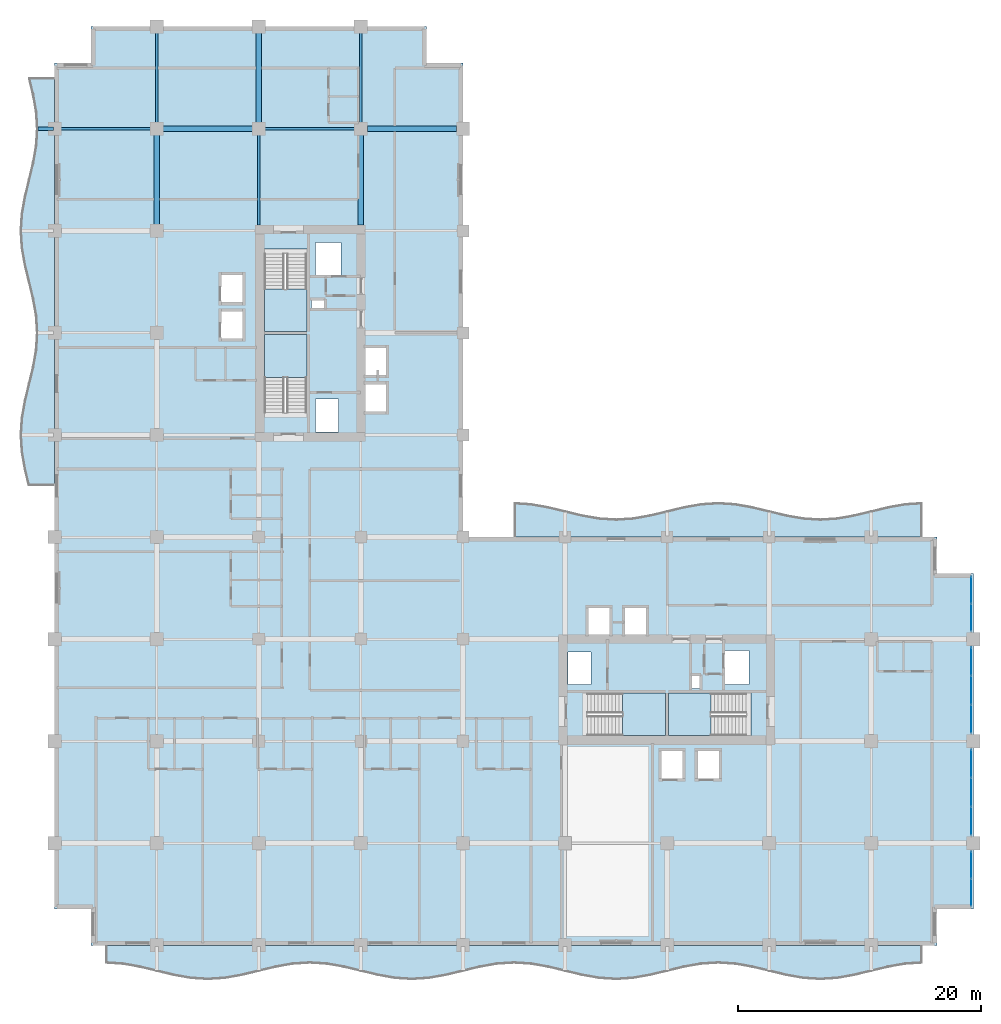
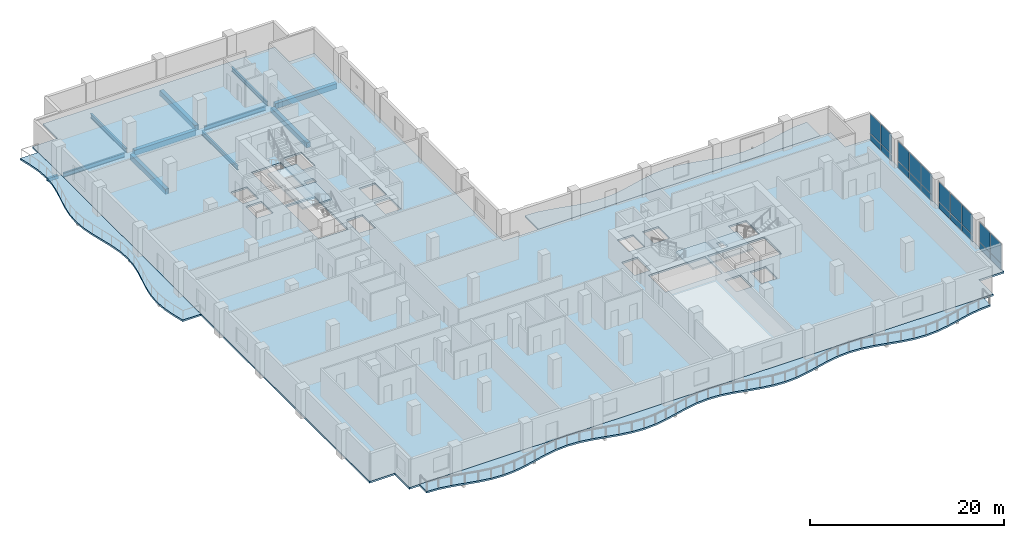
# One storey, part 8 of 22: 20 plates, 11 beams, 8 slabs, 8 elements without a shape of their own.
"""IFC4 building model written with IfcOpenShell, lengths in metres."""

from ifc_helpers import new_model, si_unit, direction, frame, origin, origin_2d, place, context, subcontext, project, spatial, polyline, rectangle, i_section, outline, extrude, material, layer, layer_set, material_profile, profile_set, type_object, element, aggregate, save


model = new_model("IFC4")

# Units and contexts
model_context = context("Model", 3, precision=1e-05, world=origin(), true_north=direction((0.0, 1.0)))
body_context = subcontext(model_context, "Body", "Model", "MODEL_VIEW")
ifc_project = project(units=[si_unit("LENGTHUNIT", "METRE"), si_unit("AREAUNIT", "SQUARE_METRE"), si_unit("VOLUMEUNIT", "CUBIC_METRE"), si_unit("PLANEANGLEUNIT", "RADIAN"), si_unit("MASSUNIT", "GRAM", prefix="KILO")], contexts=[model_context])

# Site, building, storey
site_placement = place(None, origin())
site = spatial("IfcSite", under=ifc_project, at=site_placement, CompositionType="ELEMENT")
building_placement = place(site_placement, origin())
building = spatial("IfcBuilding", under=site, at=building_placement, Name="Koriwani Terraces Tower", CompositionType="ELEMENT")
storey_placement = place(building_placement, frame((0.0, 0.0, 168.0)))
storey = spatial("IfcBuildingStorey", under=building, at=storey_placement, Name="L40", CompositionType="ELEMENT", Elevation=168.0)

# Beams
ifc_material_1 = material(Name="Concrete C40/50", Category="concrete")
ifc_material_profile_1 = material_profile(ifc_material_1, rectangle(XDim=0.300048828125, YDim=0.39990234375, at=origin_2d()), Name="Concrete C40/50", Category="LoadBearing")
ifc_profile_set_1 = profile_set([ifc_material_profile_1], Name="Concrete C40/50")
beam_type_1 = type_object("IfcBeamType", Name="BEAM_RC_BALCONY_RIB_300X400", PredefinedType="JOIST", material=ifc_profile_set_1)
beam_1_placement = place(storey_placement, frame((-1.35009765625, 67.199951171875, -0.429931640625), z_axis=(1.0, 0.0, 0.0), x_axis=(0.0, 1.0, 0.0)))
element("IfcBeam", 1, at=beam_1_placement, inside=storey, type_object=beam_type_1, Name="L40 Balcony Bracket Rib W-4", PredefinedType="JOIST", context=body_context, shape_type="SweptSolid", body=[
    extrude(rectangle(XDim=0.300048828125, YDim=0.39990234375, at=origin_2d()), origin(), (0.0, 0.0, 1.0), 1.25),
])
ifc_material_2 = material(Name="Concrete C50/60", Category="concrete")
ifc_material_profile_2 = material_profile(ifc_material_2, rectangle(XDim=0.449951171875, YDim=0.64990234375, at=origin_2d()), Name="Concrete C50/60", Category="LoadBearing")
ifc_profile_set_2 = profile_set([ifc_material_profile_2], Name="Concrete C50/60")
beam_type_2 = type_object("IfcBeamType", Name="BEAM_RC_GRID_450X650", PredefinedType="BEAM", material=ifc_profile_set_2)
for number, where, z_axis, x_axis, name in (
    (2, (8.929931640625, 67.199951171875, -0.554931640625), (1.0, 0.0, 0.0), (0.0, 1.0, 0.0), "L40 Grid Beam I (8.4-16.8m)"),
    (3, (25.72998046875, 67.199951171875, -0.554931640625), (1.0, 0.0, 0.0), (0.0, 1.0, 0.0), "L40 Grid Beam I (25.2-33.6m)"),
):
    element("IfcBeam", number, at=place(storey_placement, frame(where, z_axis=z_axis, x_axis=x_axis)), inside=storey, type_object=beam_type_2, Name=name, PredefinedType="BEAM", context=body_context, shape_type="SweptSolid", body=[
        extrude(rectangle(XDim=0.449951171875, YDim=0.64990234375, at=origin_2d()), origin(), (0.0, 0.0, 1.0), 7.340087890625),
    ])
beam_2_placement = place(storey_placement, frame((8.39990234375, 59.330078125, -0.554931640625), z_axis=(0.0, 1.0, 0.0), x_axis=(-1.0, 0.0, 0.0)))
element("IfcBeam", 4, at=beam_2_placement, inside=storey, type_object=beam_type_2, Name="L40 Grid Beam 2 (58.8-67.2m)", PredefinedType="BEAM", context=body_context, shape_type="SweptSolid", body=[
    extrude(rectangle(XDim=0.449951171875, YDim=0.64990234375, at=origin_2d()), origin(), (0.0, 0.0, 1.0), 7.33984375),
])
beam_3_placement = place(storey_placement, frame((16.800048828125, 67.72998046875, -0.554931640625), z_axis=(0.0, 1.0, 0.0), x_axis=(-1.0, 0.0, 0.0)))
element("IfcBeam", 5, at=beam_3_placement, inside=storey, type_object=beam_type_2, Name="L40 Grid Beam 3 (67.2-75.6m)", PredefinedType="BEAM", context=body_context, shape_type="SweptSolid", body=[
    extrude(rectangle(XDim=0.449951171875, YDim=0.64990234375, at=origin_2d()), origin(), (0.0, 0.0, 1.0), 7.340087890625),
])
beam_4_placement = place(storey_placement, frame((25.199951171875, 59.280029296875, -0.554931640625), z_axis=(0.0, 1.0, 0.0), x_axis=(-1.0, 0.0, 0.0)))
element("IfcBeam", 6, at=beam_4_placement, inside=storey, type_object=beam_type_2, Name="L40 Grid Beam 4 (58.8-67.2m)", PredefinedType="BEAM", context=body_context, shape_type="SweptSolid", body=[
    extrude(rectangle(XDim=0.449951171875, YDim=0.64990234375, at=origin_2d()), origin(), (0.0, 0.0, 1.0), 7.389892578125),
])
ifc_material_3 = material(Name="Steel ASTM A572 Grade 50", Category="steel")
ifc_material_profile_3 = material_profile(ifc_material_3, i_section(OverallWidth=0.2119140625, OverallDepth=0.54296875, WebThickness=0.0126953125, FlangeThickness=0.021240234375, at=origin_2d()), Name="Steel ASTM A572 Grade 50", Category="LoadBearing")
ifc_profile_set_3 = profile_set([ifc_material_profile_3], Name="Steel ASTM A572 Grade 50")
beam_type_3 = type_object("IfcBeamType", Name="STEEL_BEAM_W530X150", PredefinedType="BEAM", material=ifc_profile_set_3)
beam_5_placement = place(storey_placement, frame((0.530029296875, 67.199951171875, -0.50146484375), z_axis=(1.0, 0.0, 0.0), x_axis=(0.0, 1.0, 0.0)))
element("IfcBeam", 7, at=beam_5_placement, inside=storey, type_object=beam_type_3, Name="L40 Grid Beam I (0.0-8.4m)", PredefinedType="BEAM", context=body_context, shape_type="SweptSolid", body=[
    extrude(i_section(OverallWidth=0.2119140625, OverallDepth=0.54296875, WebThickness=0.0126953125, FlangeThickness=0.021240234375, at=origin_2d()), origin(), (0.0, 0.0, 1.0), 7.340087890625),
])
beam_6_placement = place(storey_placement, frame((17.330078125, 67.199951171875, -0.50146484375), z_axis=(1.0, 0.0, 0.0), x_axis=(0.0, 1.0, 0.0)))
element("IfcBeam", 8, at=beam_6_placement, inside=storey, type_object=beam_type_3, Name="L40 Grid Beam I (16.8-25.2m)", PredefinedType="BEAM", context=body_context, shape_type="SweptSolid", body=[
    extrude(i_section(OverallWidth=0.2119140625, OverallDepth=0.54296875, WebThickness=0.0126953125, FlangeThickness=0.021240234375, at=origin_2d()), origin(), (0.0, 0.0, 1.0), 7.33984375),
])
beam_7_placement = place(storey_placement, frame((8.39990234375, 67.72998046875, -0.50146484375), z_axis=(0.0, 1.0, 0.0), x_axis=(-1.0, 0.0, 0.0)))
element("IfcBeam", 9, at=beam_7_placement, inside=storey, type_object=beam_type_3, Name="L40 Grid Beam 2 (67.2-75.6m)", PredefinedType="BEAM", context=body_context, shape_type="SweptSolid", body=[
    extrude(i_section(OverallWidth=0.2119140625, OverallDepth=0.54296875, WebThickness=0.0126953125, FlangeThickness=0.021240234375, at=origin_2d()), origin(), (0.0, 0.0, 1.0), 7.340087890625),
])
beam_8_placement = place(storey_placement, frame((16.800048828125, 59.280029296875, -0.50146484375), z_axis=(0.0, 1.0, 0.0), x_axis=(-1.0, 0.0, 0.0)))
element("IfcBeam", 10, at=beam_8_placement, inside=storey, type_object=beam_type_3, Name="L40 Grid Beam 3 (58.8-67.2m)", PredefinedType="BEAM", context=body_context, shape_type="SweptSolid", body=[
    extrude(i_section(OverallWidth=0.2119140625, OverallDepth=0.54296875, WebThickness=0.0126953125, FlangeThickness=0.021240234375, at=origin_2d()), origin(), (0.0, 0.0, 1.0), 7.389892578125),
])
beam_9_placement = place(storey_placement, frame((25.199951171875, 67.72998046875, -0.50146484375), z_axis=(0.0, 1.0, 0.0), x_axis=(-1.0, 0.0, 0.0)))
element("IfcBeam", 11, at=beam_9_placement, inside=storey, type_object=beam_type_3, Name="L40 Grid Beam 4 (67.2-75.6m)", PredefinedType="BEAM", context=body_context, shape_type="SweptSolid", body=[
    extrude(i_section(OverallWidth=0.2119140625, OverallDepth=0.54296875, WebThickness=0.0126953125, FlangeThickness=0.021240234375, at=origin_2d()), origin(), (0.0, 0.0, 1.0), 7.340087890625),
])

# Curtain wall, plates
ifc_material_4 = material(Name="Anodised Bronze Aluminium", Category="aluminium")
ifc_layer_1 = layer(ifc_material_4, 0.169921875, Name="Anodised Bronze Aluminium")
ifc_layer_set_1 = layer_set([ifc_layer_1], Name="Anodised Bronze Aluminium")
curtain_wall_type = type_object("IfcCurtainWallType", Name="CW_RES_ZONE3", PredefinedType="NOTDEFINED", material=ifc_layer_set_1)
curtain_wall_1_placement = place(storey_placement, origin())
curtain_wall_1 = element("IfcCurtainWall", 12, at=curtain_wall_1_placement, inside=storey, type_object=curtain_wall_type, Name="L40 Unitised Curtain Wall (E_TIP) Bay 1", PredefinedType="NOTDEFINED")
ifc_material_5 = material(Name="Tempered Laminated Low-E Glass", Category="glass")
ifc_layer_2 = layer(ifc_material_5, 0.028076171875, Name="Tempered Laminated Low-E Glass")
ifc_layer_set_2 = layer_set([ifc_layer_2], Name="Tempered Laminated Low-E Glass")
plate_type = type_object("IfcPlateType", Name="CW_PANEL_VISION_28", PredefinedType="CURTAIN_PANEL", material=ifc_layer_set_2)
plate_1_placement = place(storey_placement, frame((75.425048828125, 29.25244140625, 0.06494140625), z_axis=(0.0, 0.0, 1.0), x_axis=(0.0, -1.0, 0.0)))
plate_1 = element("IfcPlate", 13, at=plate_1_placement, type_object=plate_type, Name="CW-Z3 panel 1.1", PredefinedType="CURTAIN_PANEL", context=body_context, shape_type="SweptSolid", body=[
    extrude(rectangle(XDim=2.195068359375, YDim=0.028076171875, at=origin_2d()), origin(), (0.0, 0.0, 1.0), 0.802490234375),
])
plate_2_placement = place(storey_placement, frame((75.425048828125, 29.25244140625, 0.9326171875), z_axis=(0.0, 0.0, 1.0), x_axis=(0.0, -1.0, 0.0)))
plate_2 = element("IfcPlate", 14, at=plate_2_placement, type_object=plate_type, Name="CW-Z3 panel 1.2", PredefinedType="CURTAIN_PANEL", context=body_context, shape_type="SweptSolid", body=[
    extrude(rectangle(XDim=2.195068359375, YDim=0.028076171875, at=origin_2d()), origin(), (0.0, 0.0, 1.0), 2.472412109375),
])
plate_3_placement = place(storey_placement, frame((75.425048828125, 26.982421875, 0.06494140625), z_axis=(0.0, 0.0, 1.0), x_axis=(0.0, -1.0, 0.0)))
plate_3 = element("IfcPlate", 15, at=plate_3_placement, type_object=plate_type, Name="CW-Z3 panel 2.1", PredefinedType="CURTAIN_PANEL", context=body_context, shape_type="SweptSolid", body=[
    extrude(rectangle(XDim=2.195068359375, YDim=0.028076171875, at=origin_2d()), origin(), (0.0, 0.0, 1.0), 0.802490234375),
])
plate_4_placement = place(storey_placement, frame((75.425048828125, 26.982421875, 0.9326171875), z_axis=(0.0, 0.0, 1.0), x_axis=(0.0, -1.0, 0.0)))
plate_4 = element("IfcPlate", 16, at=plate_4_placement, type_object=plate_type, Name="CW-Z3 panel 2.2", PredefinedType="CURTAIN_PANEL", context=body_context, shape_type="SweptSolid", body=[
    extrude(rectangle(XDim=2.195068359375, YDim=0.028076171875, at=origin_2d()), origin(), (0.0, 0.0, 1.0), 2.472412109375),
])
aggregate(curtain_wall_1, [plate_1, plate_2, plate_3, plate_4])

curtain_wall_2_placement = place(storey_placement, origin())
curtain_wall_2 = element("IfcCurtainWall", 17, at=curtain_wall_2_placement, inside=storey, type_object=curtain_wall_type, Name="L40 Unitised Curtain Wall (E_TIP) Bay 2", PredefinedType="NOTDEFINED")
plate_5_placement = place(storey_placement, frame((75.425048828125, 23.37451171875, 0.06494140625), z_axis=(0.0, 0.0, 1.0), x_axis=(0.0, -1.0, 0.0)))
plate_5 = element("IfcPlate", 18, at=plate_5_placement, type_object=plate_type, Name="CW-Z3 panel 1.1", PredefinedType="CURTAIN_PANEL", context=body_context, shape_type="SweptSolid", body=[
    extrude(rectangle(XDim=2.28076171875, YDim=0.028076171875, at=origin_2d()), origin(), (0.0, 0.0, 1.0), 0.802490234375),
])
plate_6_placement = place(storey_placement, frame((75.425048828125, 23.37451171875, 0.9326171875), z_axis=(0.0, 0.0, 1.0), x_axis=(0.0, -1.0, 0.0)))
plate_6 = element("IfcPlate", 19, at=plate_6_placement, type_object=plate_type, Name="CW-Z3 panel 1.2", PredefinedType="CURTAIN_PANEL", context=body_context, shape_type="SweptSolid", body=[
    extrude(rectangle(XDim=2.28076171875, YDim=0.028076171875, at=origin_2d()), origin(), (0.0, 0.0, 1.0), 2.472412109375),
])
plate_7_placement = place(storey_placement, frame((75.425048828125, 21.0, 0.06494140625), z_axis=(0.0, 0.0, 1.0), x_axis=(0.0, -1.0, 0.0)))
plate_7 = element("IfcPlate", 20, at=plate_7_placement, type_object=plate_type, Name="CW-Z3 panel 2.1", PredefinedType="CURTAIN_PANEL", context=body_context, shape_type="SweptSolid", body=[
    extrude(rectangle(XDim=2.318359375, YDim=0.028076171875, at=origin_2d()), origin(), (0.0, 0.0, 1.0), 0.802490234375),
])
plate_8_placement = place(storey_placement, frame((75.425048828125, 21.0, 0.9326171875), z_axis=(0.0, 0.0, 1.0), x_axis=(0.0, -1.0, 0.0)))
plate_8 = element("IfcPlate", 21, at=plate_8_placement, type_object=plate_type, Name="CW-Z3 panel 2.2", PredefinedType="CURTAIN_PANEL", context=body_context, shape_type="SweptSolid", body=[
    extrude(rectangle(XDim=2.318359375, YDim=0.028076171875, at=origin_2d()), origin(), (0.0, 0.0, 1.0), 2.472412109375),
])
plate_9_placement = place(storey_placement, frame((75.425048828125, 18.62548828125, 0.06494140625), z_axis=(0.0, 0.0, 1.0), x_axis=(0.0, -1.0, 0.0)))
plate_9 = element("IfcPlate", 22, at=plate_9_placement, type_object=plate_type, Name="CW-Z3 panel 3.1", PredefinedType="CURTAIN_PANEL", context=body_context, shape_type="SweptSolid", body=[
    extrude(rectangle(XDim=2.28076171875, YDim=0.028076171875, at=origin_2d()), origin(), (0.0, 0.0, 1.0), 0.802490234375),
])
plate_10_placement = place(storey_placement, frame((75.425048828125, 18.62548828125, 0.9326171875), z_axis=(0.0, 0.0, 1.0), x_axis=(0.0, -1.0, 0.0)))
plate_10 = element("IfcPlate", 23, at=plate_10_placement, type_object=plate_type, Name="CW-Z3 panel 3.2", PredefinedType="CURTAIN_PANEL", context=body_context, shape_type="SweptSolid", body=[
    extrude(rectangle(XDim=2.28076171875, YDim=0.028076171875, at=origin_2d()), origin(), (0.0, 0.0, 1.0), 2.472412109375),
])
aggregate(curtain_wall_2, [plate_5, plate_6, plate_7, plate_8, plate_9, plate_10])

curtain_wall_3_placement = place(storey_placement, origin())
curtain_wall_3 = element("IfcCurtainWall", 24, at=curtain_wall_3_placement, inside=storey, type_object=curtain_wall_type, Name="L40 Unitised Curtain Wall (E_TIP) Bay 3", PredefinedType="NOTDEFINED")
plate_11_placement = place(storey_placement, frame((75.425048828125, 14.974609375, 0.06494140625), z_axis=(0.0, 0.0, 1.0), x_axis=(0.0, -1.0, 0.0)))
plate_11 = element("IfcPlate", 25, at=plate_11_placement, type_object=plate_type, Name="CW-Z3 panel 1.1", PredefinedType="CURTAIN_PANEL", context=body_context, shape_type="SweptSolid", body=[
    extrude(rectangle(XDim=2.28076171875, YDim=0.028076171875, at=origin_2d()), origin(), (0.0, 0.0, 1.0), 0.802490234375),
])
plate_12_placement = place(storey_placement, frame((75.425048828125, 14.974609375, 0.9326171875), z_axis=(0.0, 0.0, 1.0), x_axis=(0.0, -1.0, 0.0)))
plate_12 = element("IfcPlate", 26, at=plate_12_placement, type_object=plate_type, Name="CW-Z3 panel 1.2", PredefinedType="CURTAIN_PANEL", context=body_context, shape_type="SweptSolid", body=[
    extrude(rectangle(XDim=2.28076171875, YDim=0.028076171875, at=origin_2d()), origin(), (0.0, 0.0, 1.0), 2.472412109375),
])
plate_13_placement = place(storey_placement, frame((75.425048828125, 12.60009765625, 0.06494140625), z_axis=(0.0, 0.0, 1.0), x_axis=(0.0, -1.0, 0.0)))
plate_13 = element("IfcPlate", 27, at=plate_13_placement, type_object=plate_type, Name="CW-Z3 panel 2.1", PredefinedType="CURTAIN_PANEL", context=body_context, shape_type="SweptSolid", body=[
    extrude(rectangle(XDim=2.318359375, YDim=0.028076171875, at=origin_2d()), origin(), (0.0, 0.0, 1.0), 0.802490234375),
])
plate_14_placement = place(storey_placement, frame((75.425048828125, 12.60009765625, 0.9326171875), z_axis=(0.0, 0.0, 1.0), x_axis=(0.0, -1.0, 0.0)))
plate_14 = element("IfcPlate", 28, at=plate_14_placement, type_object=plate_type, Name="CW-Z3 panel 2.2", PredefinedType="CURTAIN_PANEL", context=body_context, shape_type="SweptSolid", body=[
    extrude(rectangle(XDim=2.318359375, YDim=0.028076171875, at=origin_2d()), origin(), (0.0, 0.0, 1.0), 2.472412109375),
])
plate_15_placement = place(storey_placement, frame((75.425048828125, 10.225341796875, 0.06494140625), z_axis=(0.0, 0.0, 1.0), x_axis=(0.0, -1.0, 0.0)))
plate_15 = element("IfcPlate", 29, at=plate_15_placement, type_object=plate_type, Name="CW-Z3 panel 3.1", PredefinedType="CURTAIN_PANEL", context=body_context, shape_type="SweptSolid", body=[
    extrude(rectangle(XDim=2.28076171875, YDim=0.028076171875, at=origin_2d()), origin(), (0.0, 0.0, 1.0), 0.802490234375),
])
plate_16_placement = place(storey_placement, frame((75.425048828125, 10.225341796875, 0.9326171875), z_axis=(0.0, 0.0, 1.0), x_axis=(0.0, -1.0, 0.0)))
plate_16 = element("IfcPlate", 30, at=plate_16_placement, type_object=plate_type, Name="CW-Z3 panel 3.2", PredefinedType="CURTAIN_PANEL", context=body_context, shape_type="SweptSolid", body=[
    extrude(rectangle(XDim=2.28076171875, YDim=0.028076171875, at=origin_2d()), origin(), (0.0, 0.0, 1.0), 2.472412109375),
])
aggregate(curtain_wall_3, [plate_11, plate_12, plate_13, plate_14, plate_15, plate_16])

curtain_wall_4_placement = place(storey_placement, origin())
curtain_wall_4 = element("IfcCurtainWall", 31, at=curtain_wall_4_placement, inside=storey, type_object=curtain_wall_type, Name="L40 Unitised Curtain Wall (E_TIP) Bay 4", PredefinedType="NOTDEFINED")
plate_17_placement = place(storey_placement, frame((75.425048828125, 6.617431640625, 0.06494140625), z_axis=(0.0, 0.0, 1.0), x_axis=(0.0, -1.0, 0.0)))
plate_17 = element("IfcPlate", 32, at=plate_17_placement, type_object=plate_type, Name="CW-Z3 panel 1.1", PredefinedType="CURTAIN_PANEL", context=body_context, shape_type="SweptSolid", body=[
    extrude(rectangle(XDim=2.195068359375, YDim=0.028076171875, at=origin_2d()), origin(), (0.0, 0.0, 1.0), 0.802490234375),
])
plate_18_placement = place(storey_placement, frame((75.425048828125, 6.617431640625, 0.9326171875), z_axis=(0.0, 0.0, 1.0), x_axis=(0.0, -1.0, 0.0)))
plate_18 = element("IfcPlate", 33, at=plate_18_placement, type_object=plate_type, Name="CW-Z3 panel 1.2", PredefinedType="CURTAIN_PANEL", context=body_context, shape_type="SweptSolid", body=[
    extrude(rectangle(XDim=2.195068359375, YDim=0.028076171875, at=origin_2d()), origin(), (0.0, 0.0, 1.0), 2.472412109375),
])
plate_19_placement = place(storey_placement, frame((75.425048828125, 4.347412109375, 0.06494140625), z_axis=(0.0, 0.0, 1.0), x_axis=(0.0, -1.0, 0.0)))
plate_19 = element("IfcPlate", 34, at=plate_19_placement, type_object=plate_type, Name="CW-Z3 panel 2.1", PredefinedType="CURTAIN_PANEL", context=body_context, shape_type="SweptSolid", body=[
    extrude(rectangle(XDim=2.195068359375, YDim=0.028076171875, at=origin_2d()), origin(), (0.0, 0.0, 1.0), 0.802490234375),
])
plate_20_placement = place(storey_placement, frame((75.425048828125, 4.347412109375, 0.9326171875), z_axis=(0.0, 0.0, 1.0), x_axis=(0.0, -1.0, 0.0)))
plate_20 = element("IfcPlate", 35, at=plate_20_placement, type_object=plate_type, Name="CW-Z3 panel 2.2", PredefinedType="CURTAIN_PANEL", context=body_context, shape_type="SweptSolid", body=[
    extrude(rectangle(XDim=2.195068359375, YDim=0.028076171875, at=origin_2d()), origin(), (0.0, 0.0, 1.0), 2.472412109375),
])
aggregate(curtain_wall_4, [plate_17, plate_18, plate_19, plate_20])

# Slabs
ifc_layer_3 = layer(ifc_material_1, 0.219970703125, Name="Concrete C40/50")
ifc_layer_set_3 = layer_set([ifc_layer_3], Name="Concrete C40/50")
slab_type_1 = type_object("IfcSlabType", Name="SLAB_BALCONY_220", PredefinedType="FLOOR", material=ifc_layer_set_3)
slab_1_placement = place(storey_placement, frame((0.0, 0.0, -0.219970703125)))
element("IfcSlab", 36, at=slab_1_placement, inside=storey, type_object=slab_type_1, Name="L40 Quilted Circular-Arc Balcony (S)", PredefinedType="FLOOR", context=body_context, shape_type="SweptSolid", body=[
    extrude(outline(polyline([(4.199951171875, 0.0), (5.60009765625, 0.0), (7.0, 0.0), (8.39990234375, 0.0), (9.800048828125, 0.0), (11.199951171875, 0.0), (12.60009765625, 0.0), (14.0, 0.0), (15.39990234375, 0.0), (16.800048828125, 0.0), (18.199951171875, 0.0), (19.60009765625, 0.0), (21.0, 0.0), (22.39990234375, 0.0), (23.800048828125, 0.0), (25.199951171875, 0.0), (26.60009765625, 0.0), (28.0, 0.0), (29.39990234375, 0.0), (30.800048828125, 0.0), (32.199951171875, 0.0), (33.60009765625, 0.0), (35.0, 0.0), (36.39990234375, 0.0), (37.800048828125, 0.0), (39.199951171875, 0.0), (40.60009765625, 0.0), (42.0, 0.0), (43.39990234375, 0.0), (44.800048828125, 0.0), (46.199951171875, 0.0), (47.60009765625, 0.0), (49.0, 0.0), (50.39990234375, 0.0), (51.800048828125, 0.0), (53.199951171875, 0.0), (54.60009765625, 0.0), (56.0, 0.0), (57.39990234375, 0.0), (58.800048828125, 0.0), (60.199951171875, 0.0), (61.60009765625, 0.0), (63.0, 0.0), (64.39990234375, 0.0), (65.800048828125, 0.0), (67.199951171875, 0.0), (68.60009765625, 0.0), (70.0, 0.0), (71.39990234375, 0.0), (71.39990234375, -1.5), (70.0, -1.59033203125), (68.60009765625, -1.83740234375), (67.199951171875, -2.175048828125), (65.800048828125, -2.512451171875), (64.39990234375, -2.759521484375), (63.0, -2.85009765625), (61.60009765625, -2.759521484375), (60.199951171875, -2.512451171875), (58.800048828125, -2.175048828125), (57.39990234375, -1.83740234375), (56.0, -1.59033203125), (54.60009765625, -1.5), (53.199951171875, -1.59033203125), (51.800048828125, -1.83740234375), (50.39990234375, -2.175048828125), (49.0, -2.512451171875), (47.60009765625, -2.759521484375), (46.199951171875, -2.85009765625), (44.800048828125, -2.759521484375), (43.39990234375, -2.512451171875), (42.0, -2.175048828125), (40.60009765625, -1.83740234375), (39.199951171875, -1.59033203125), (37.800048828125, -1.5), (36.39990234375, -1.59033203125), (35.0, -1.83740234375), (33.60009765625, -2.175048828125), (32.199951171875, -2.512451171875), (30.800048828125, -2.759521484375), (29.39990234375, -2.85009765625), (28.0, -2.759521484375), (26.60009765625, -2.512451171875), (25.199951171875, -2.175048828125), (23.800048828125, -1.83740234375), (22.39990234375, -1.59033203125), (21.0, -1.5), (19.60009765625, -1.59033203125), (18.199951171875, -1.83740234375), (16.800048828125, -2.175048828125), (15.39990234375, -2.512451171875), (14.0, -2.759521484375), (12.60009765625, -2.85009765625), (11.199951171875, -2.759521484375), (9.800048828125, -2.512451171875), (8.39990234375, -2.175048828125), (7.0, -1.83740234375), (5.60009765625, -1.59033203125), (4.199951171875, -1.5), (4.199951171875, 0.0)])), origin(), (0.0, 0.0, 1.0), 0.219970703125),
])
slab_2_placement = place(storey_placement, frame((0.0, 0.0, -0.219970703125)))
element("IfcSlab", 37, at=slab_2_placement, inside=storey, type_object=slab_type_1, Name="L40 Quilted Circular-Arc Balcony (W)", PredefinedType="FLOOR", context=body_context, shape_type="SweptSolid", body=[
    extrude(outline(polyline([(0.0, 37.800048828125), (0.0, 39.199951171875), (0.0, 40.60009765625), (0.0, 42.0), (0.0, 43.39990234375), (0.0, 44.800048828125), (0.0, 46.199951171875), (0.0, 47.60009765625), (0.0, 49.0), (0.0, 50.39990234375), (0.0, 51.800048828125), (0.0, 53.199951171875), (0.0, 54.60009765625), (0.0, 56.0), (0.0, 57.39990234375), (0.0, 58.800048828125), (0.0, 60.199951171875), (0.0, 61.60009765625), (0.0, 63.0), (0.0, 64.39990234375), (0.0, 65.800048828125), (0.0, 67.199951171875), (0.0, 68.60009765625), (0.0, 70.0), (0.0, 71.39990234375), (-2.175048828125, 71.39990234375), (-1.83740234375, 70.0), (-1.59033203125, 68.60009765625), (-1.5, 67.199951171875), (-1.59033203125, 65.800048828125), (-1.83740234375, 64.39990234375), (-2.175048828125, 63.0), (-2.512451171875, 61.60009765625), (-2.759521484375, 60.199951171875), (-2.85009765625, 58.800048828125), (-2.759521484375, 57.39990234375), (-2.512451171875, 56.0), (-2.175048828125, 54.60009765625), (-1.83740234375, 53.199951171875), (-1.59033203125, 51.800048828125), (-1.5, 50.39990234375), (-1.59033203125, 49.0), (-1.83740234375, 47.60009765625), (-2.175048828125, 46.199951171875), (-2.512451171875, 44.800048828125), (-2.759521484375, 43.39990234375), (-2.85009765625, 42.0), (-2.759521484375, 40.60009765625), (-2.512451171875, 39.199951171875), (-2.175048828125, 37.800048828125), (0.0, 37.800048828125)])), origin(), (0.0, 0.0, 1.0), 0.219970703125),
])
slab_3_placement = place(storey_placement, frame((0.0, 0.0, -0.219970703125)))
element("IfcSlab", 38, at=slab_3_placement, inside=storey, type_object=slab_type_1, Name="L40 Quilted Circular-Arc Balcony (NE)", PredefinedType="FLOOR", context=body_context, shape_type="SweptSolid", body=[
    extrude(outline(polyline([(71.39990234375, 33.60009765625), (70.0, 33.60009765625), (68.60009765625, 33.60009765625), (67.199951171875, 33.60009765625), (65.800048828125, 33.60009765625), (64.39990234375, 33.60009765625), (63.0, 33.60009765625), (61.60009765625, 33.60009765625), (60.199951171875, 33.60009765625), (58.800048828125, 33.60009765625), (57.39990234375, 33.60009765625), (56.0, 33.60009765625), (54.60009765625, 33.60009765625), (53.199951171875, 33.60009765625), (51.800048828125, 33.60009765625), (50.39990234375, 33.60009765625), (49.0, 33.60009765625), (47.60009765625, 33.60009765625), (46.199951171875, 33.60009765625), (44.800048828125, 33.60009765625), (43.39990234375, 33.60009765625), (42.0, 33.60009765625), (40.60009765625, 33.60009765625), (39.199951171875, 33.60009765625), (37.800048828125, 33.60009765625), (37.800048828125, 36.449951171875), (39.199951171875, 36.359619140625), (40.60009765625, 36.112548828125), (42.0, 35.77490234375), (43.39990234375, 35.4375), (44.800048828125, 35.1904296875), (46.199951171875, 35.10009765625), (47.60009765625, 35.1904296875), (49.0, 35.4375), (50.39990234375, 35.77490234375), (51.800048828125, 36.112548828125), (53.199951171875, 36.359619140625), (54.60009765625, 36.449951171875), (56.0, 36.359619140625), (57.39990234375, 36.112548828125), (58.800048828125, 35.77490234375), (60.199951171875, 35.4375), (61.60009765625, 35.1904296875), (63.0, 35.10009765625), (64.39990234375, 35.1904296875), (65.800048828125, 35.4375), (67.199951171875, 35.77490234375), (68.60009765625, 36.112548828125), (70.0, 36.359619140625), (71.39990234375, 36.449951171875), (71.39990234375, 33.60009765625)])), origin(), (0.0, 0.0, 1.0), 0.219970703125),
])
ifc_layer_4 = layer(ifc_material_1, 0.22998046875, Name="Concrete C40/50")
ifc_layer_set_4 = layer_set([ifc_layer_4], Name="Concrete C40/50")
slab_type_2 = type_object("IfcSlabType", Name="SLAB_RES_TYP_230", PredefinedType="FLOOR", material=ifc_layer_set_4)
slab_4_placement = place(storey_placement, frame((0.0, 0.0, -0.22998046875)))
element("IfcSlab", 39, at=slab_4_placement, inside=storey, type_object=slab_type_2, Name="L40 Structural Floor Slab", PredefinedType="FLOOR", context=body_context, shape_type="SweptSolid", body=[
    extrude(outline(polyline([(3.0, 0.0), (72.60009765625, 0.0), (72.60009765625, 3.0), (75.60009765625, 3.0), (75.60009765625, 30.60009765625), (72.60009765625, 30.60009765625), (72.60009765625, 33.60009765625), (33.60009765625, 33.60009765625), (33.60009765625, 72.60009765625), (30.60009765625, 72.60009765625), (30.60009765625, 75.60009765625), (3.0, 75.60009765625), (3.0, 72.60009765625), (0.0, 72.60009765625), (0.0, 3.0), (3.0, 3.0), (3.0, 0.0)]), holes=[polyline([(17.25, 43.4599609375), (20.75, 43.4599609375), (20.75, 50.25), (17.25, 50.25), (17.25, 43.4599609375)]), polyline([(17.25, 50.5), (20.75, 50.5), (20.75, 57.2900390625), (17.25, 57.2900390625), (17.25, 50.5)]), polyline([(43.4599609375, 17.25), (50.25, 17.25), (50.25, 20.75), (43.4599609375, 20.75), (43.4599609375, 17.25)]), polyline([(50.5, 17.25), (57.2900390625, 17.25), (57.2900390625, 20.75), (50.5, 20.75), (50.5, 17.25)]), polyline([(13.64990234375, 49.85009765625), (15.550048828125, 49.85009765625), (15.550048828125, 52.25), (13.64990234375, 52.25), (13.64990234375, 49.85009765625)]), polyline([(13.64990234375, 52.85009765625), (15.550048828125, 52.85009765625), (15.550048828125, 55.25), (13.64990234375, 55.25), (13.64990234375, 52.85009765625)]), polyline([(49.85009765625, 13.64990234375), (51.75, 13.64990234375), (51.75, 16.050048828125), (49.85009765625, 16.050048828125), (49.85009765625, 13.64990234375)]), polyline([(52.85009765625, 13.64990234375), (54.75, 13.64990234375), (54.75, 16.050048828125), (52.85009765625, 16.050048828125), (52.85009765625, 13.64990234375)]), polyline([(25.449951171875, 43.85009765625), (27.35009765625, 43.85009765625), (27.35009765625, 46.25), (25.449951171875, 46.25), (25.449951171875, 43.85009765625)]), polyline([(25.449951171875, 46.85009765625), (27.35009765625, 46.85009765625), (27.35009765625, 49.25), (25.449951171875, 49.25), (25.449951171875, 46.85009765625)]), polyline([(43.85009765625, 25.449951171875), (45.75, 25.449951171875), (45.75, 27.85009765625), (43.85009765625, 27.85009765625), (43.85009765625, 25.449951171875)]), polyline([(46.85009765625, 25.449951171875), (48.75, 25.449951171875), (48.75, 27.85009765625), (46.85009765625, 27.85009765625), (46.85009765625, 25.449951171875)]), polyline([(21.449951171875, 55.050048828125), (23.550048828125, 55.050048828125), (23.550048828125, 57.85009765625), (21.449951171875, 57.85009765625), (21.449951171875, 55.050048828125)]), polyline([(55.050048828125, 21.449951171875), (57.14990234375, 21.449951171875), (57.14990234375, 24.25), (55.050048828125, 24.25), (55.050048828125, 21.449951171875)]), polyline([(21.449951171875, 42.25), (23.35009765625, 42.25), (23.35009765625, 44.949951171875), (21.449951171875, 44.949951171875), (21.449951171875, 42.25)]), polyline([(42.25, 21.449951171875), (44.14990234375, 21.449951171875), (44.14990234375, 24.14990234375), (42.25, 24.14990234375), (42.25, 21.449951171875)]), polyline([(21.14990234375, 52.419921875), (22.219970703125, 52.419921875), (22.219970703125, 53.179931640625), (21.14990234375, 53.179931640625), (21.14990234375, 52.419921875)]), polyline([(52.419921875, 21.14990234375), (53.179931640625, 21.14990234375), (53.179931640625, 22.219970703125), (52.419921875, 22.219970703125), (52.419921875, 21.14990234375)])]), origin(), (0.0, 0.0, 1.0), 0.22998046875),
])

# Stair, slab
stair_type = type_object("IfcStairType", Name="STAIR_CORE_DOGLEG_1650", PredefinedType="TWO_STRAIGHT_RUN_STAIR", material=ifc_material_1)
stair_1_placement = place(storey_placement, origin())
stair_1 = element("IfcStair", 40, at=stair_1_placement, inside=storey, type_object=stair_type, Name="L40 West Core Exit Stair 1", PredefinedType="HALF_TURN_STAIR")
ifc_layer_5 = layer(ifc_material_1, 0.199951171875, Name="Concrete C40/50")
ifc_layer_set_5 = layer_set([ifc_layer_5], Name="Concrete C40/50")
slab_type_3 = type_object("IfcSlabType", Name="SLAB_STAIR_LANDING_200", PredefinedType="LANDING", material=ifc_layer_set_5)
slab_5_placement = place(storey_placement, frame((0.0, 0.0, 1.64990234375)))
slab_5 = element("IfcSlab", 41, at=slab_5_placement, type_object=slab_type_3, Name="ST-W1 landing 1", PredefinedType="LANDING", context=body_context, shape_type="SweptSolid", body=[
    extrude(outline(polyline([(20.75, 46.75), (20.75, 50.25), (17.25, 50.25), (17.25, 46.75), (20.75, 46.75)])), origin(), (0.0, 0.0, 1.0), 0.2001953125),
])
aggregate(stair_1, [slab_5])

stair_2_placement = place(storey_placement, origin())
stair_2 = element("IfcStair", 42, at=stair_2_placement, inside=storey, type_object=stair_type, Name="L40 West Core Exit Stair 2", PredefinedType="HALF_TURN_STAIR")
slab_6_placement = place(storey_placement, frame((0.0, 0.0, 1.64990234375)))
slab_6 = element("IfcSlab", 43, at=slab_6_placement, type_object=slab_type_3, Name="ST-W2 landing 1", PredefinedType="LANDING", context=body_context, shape_type="SweptSolid", body=[
    extrude(outline(polyline([(17.25, 54.0), (17.25, 50.5), (20.75, 50.5), (20.75, 54.0), (17.25, 54.0)])), origin(), (0.0, 0.0, 1.0), 0.2001953125),
])
aggregate(stair_2, [slab_6])

stair_3_placement = place(storey_placement, origin())
stair_3 = element("IfcStair", 44, at=stair_3_placement, inside=storey, type_object=stair_type, Name="L40 East Core Exit Stair 1", PredefinedType="HALF_TURN_STAIR")
slab_7_placement = place(storey_placement, frame((0.0, 0.0, 1.64990234375)))
slab_7 = element("IfcSlab", 45, at=slab_7_placement, type_object=slab_type_3, Name="ST-E1 landing 1", PredefinedType="LANDING", context=body_context, shape_type="SweptSolid", body=[
    extrude(outline(polyline([(46.75, 17.25), (50.25, 17.25), (50.25, 20.75), (46.75, 20.75), (46.75, 17.25)])), origin(), (0.0, 0.0, 1.0), 0.2001953125),
])
aggregate(stair_3, [slab_7])

stair_4_placement = place(storey_placement, origin())
stair_4 = element("IfcStair", 46, at=stair_4_placement, inside=storey, type_object=stair_type, Name="L40 East Core Exit Stair 2", PredefinedType="HALF_TURN_STAIR")
slab_8_placement = place(storey_placement, frame((0.0, 0.0, 1.64990234375)))
slab_8 = element("IfcSlab", 47, at=slab_8_placement, type_object=slab_type_3, Name="ST-E2 landing 1", PredefinedType="LANDING", context=body_context, shape_type="SweptSolid", body=[
    extrude(outline(polyline([(54.0, 20.75), (50.5, 20.75), (50.5, 17.25), (54.0, 17.25), (54.0, 20.75)])), origin(), (0.0, 0.0, 1.0), 0.2001953125),
])
aggregate(stair_4, [slab_8])

save(model, "model.ifc")
